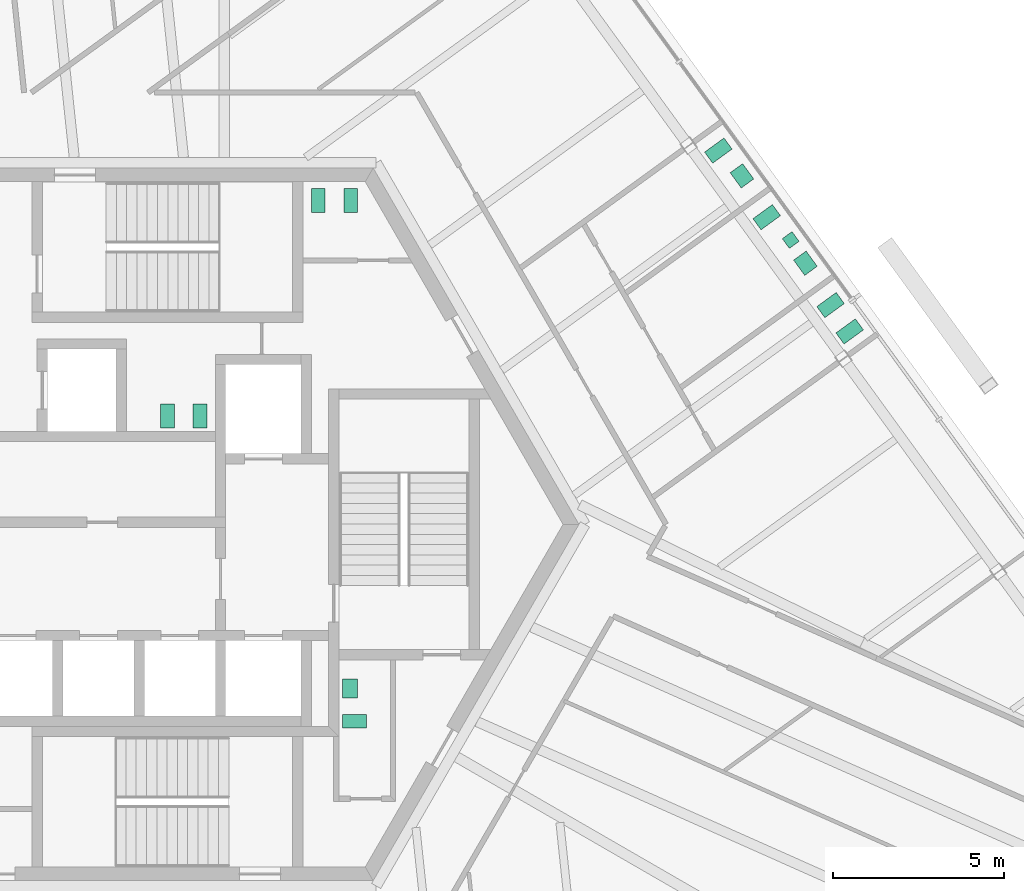
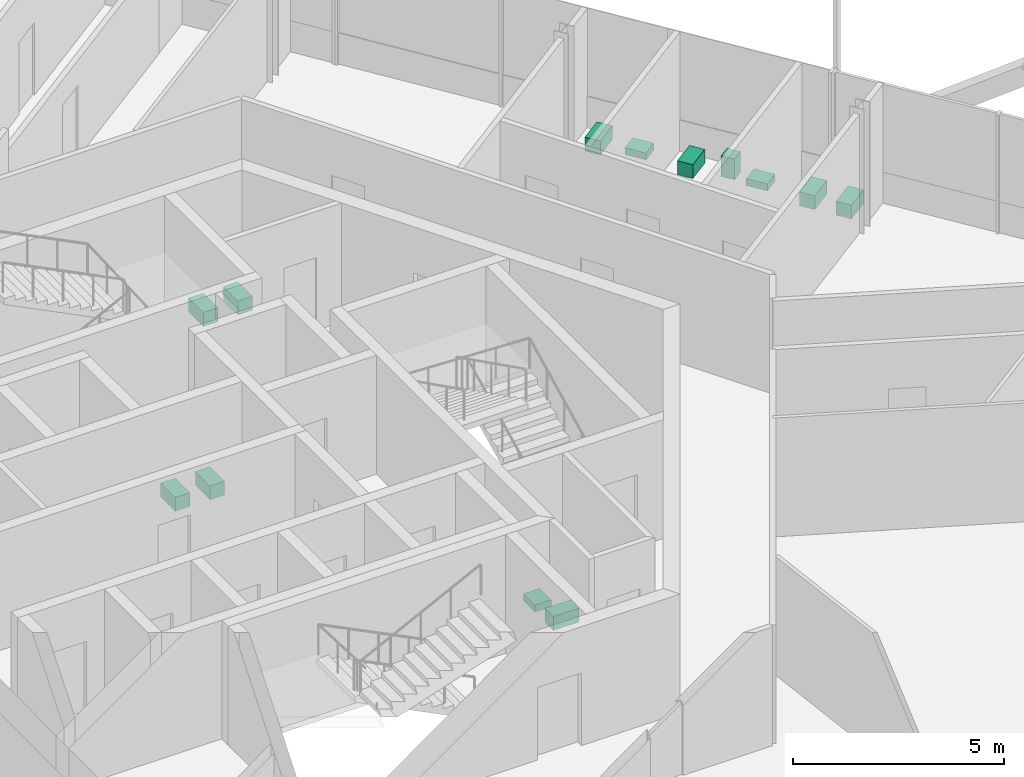
# One storey, part 19 of 21: 13 sanitary terminals.
"""IFC4 building model written with IfcOpenShell, lengths in metres."""

from ifc_helpers import new_model, si_unit, direction, frame, origin, origin_2d, place, context, subcontext, project, spatial, rectangle, extrude, source, transform, mapped, material, element, save


model = new_model("IFC4")

# Units and contexts
model_context = context("Model", 3, precision=1e-05, world=origin(), true_north=direction((0.0, 1.0)))
body_context = subcontext(model_context, "Body", "Model", "MODEL_VIEW")
ifc_project = project(units=[si_unit("LENGTHUNIT", "METRE"), si_unit("AREAUNIT", "SQUARE_METRE"), si_unit("VOLUMEUNIT", "CUBIC_METRE"), si_unit("PLANEANGLEUNIT", "RADIAN"), si_unit("MASSUNIT", "GRAM", prefix="KILO")], contexts=[model_context])

# Site, building, storey
site_placement = place(None, origin())
site = spatial("IfcSite", under=ifc_project, at=site_placement, CompositionType="ELEMENT")
building_placement = place(site_placement, origin())
building = spatial("IfcBuilding", under=site, at=building_placement, Name="Triune Harvest Tower", CompositionType="ELEMENT")
storey_placement = place(building_placement, frame((0.0, 0.0, 241.300048828125)))
storey = spatial("IfcBuildingStorey", under=building, at=storey_placement, Name="L63", CompositionType="ELEMENT", Elevation=241.300048828125)

# Sanitary terminals
ifc_material = material(Name="Vitreous china")
shared_shape_1 = source(origin(), body_context, "Body", "SweptSolid", [
    extrude(rectangle(XDim=0.39990234375, YDim=0.699951171875, at=origin_2d()), origin(), (0.0, 0.0, 1.0), 0.39990234375),
])
for number, where, z_axis, x_axis, name in (
    (1, (4.39990234375, 9.449951171875, 0.0), (0.0, 0.0, 1.0), (1.0, 0.0, 0.0), "Toilet pan L63.c01"),
    (2, (5.35009765625, 9.449951171875, 0.0), (0.0, 0.0, 1.0), (1.0, 0.0, 0.0), "Toilet pan L63.c02"),
    (3, (0.949951171875, 3.159912109375, 0.0), (0.0, 0.0, 1.0), (-1.0, 0.0, 0.0), "Toilet pan L63.c03"),
    (4, (0.0, 3.159912109375, 0.0), (0.0, 0.0, 1.0), (-1.0, 0.0, 0.0), "Toilet pan L63.c04"),
    (5, (5.449951171875, -5.739990234375, 0.0), (0.0, 0.0, 1.0), (0.0, 1.0, 0.0), "Toilet pan L63.c05"),
    (6, (19.337646484375, 6.39501953125, 0.0), (0.0, 0.0, 1.0), (0.587785252292, -0.809016994375, 0.0), "Toilet pan 01"),
    (7, (19.89599609375, 5.626708984375, 0.0), (0.0, 0.0, 1.0), (0.587785252292, -0.809016994375, 0.0), "Toilet pan 02"),
    (8, (17.475830078125, 8.957763671875, 0.0), (0.0, 0.0, 1.0), (0.587785252292, -0.809016994375, 0.0), "Toilet pan 03"),
    (9, (16.065185546875, 10.8994140625, 0.0), (0.0, 0.0, 1.0), (0.587771132193, -0.80902725304, 0.0), "Toilet pan 06"),
):
    element("IfcSanitaryTerminal", number, at=place(storey_placement, frame(where, z_axis=z_axis, x_axis=x_axis)), inside=storey, material=ifc_material, Name=name, PredefinedType="TOILETPAN", context=body_context, shape_type="MappedRepresentation", body=[
        mapped(shared_shape_1, transform((0.0, 0.0, 0.0), scale=1.0)),
    ])
shared_shape_2 = source(origin(), body_context, "Body", "SweptSolid", [
    extrude(rectangle(XDim=0.35009765625, YDim=0.35009765625, at=origin_2d()), origin(), (0.0, 0.0, 1.0), 0.60009765625),
])
sanitary_terminal_placement = place(storey_placement, frame((18.17578125, 8.2919921875, 0.0), z_axis=(0.0, 0.0, 1.0), x_axis=(0.587785252292, -0.809016994375, 0.0)))
element("IfcSanitaryTerminal", 10, at=sanitary_terminal_placement, inside=storey, material=ifc_material, Name="Urinal 04", PredefinedType="URINAL", context=body_context, shape_type="MappedRepresentation", body=[
    mapped(shared_shape_2, transform((0.0, 0.0, 0.0), scale=1.0)),
])
shared_shape_3 = source(origin(), body_context, "Body", "SweptSolid", [
    extrude(rectangle(XDim=0.550048828125, YDim=0.449951171875, at=origin_2d()), origin(), (0.0, 0.0, 1.0), 0.199951171875),
])
for number, where, z_axis, x_axis, name in (
    (11, (5.324951171875, -4.7900390625, 0.0), (0.0, 0.0, 1.0), (0.0, 1.0, 0.0), "Wash basin L63.c06"),
    (12, (18.60546875, 7.615478515625, 0.0), (0.0, 0.0, 1.0), (0.587785252292, -0.809016994375, 0.0), "Wash basin 05"),
    (13, (16.754150390625, 10.163818359375, 0.0), (0.0, 0.0, 1.0), (0.587771132193, -0.80902725304, 0.0), "Wash basin 07"),
):
    element("IfcSanitaryTerminal", number, at=place(storey_placement, frame(where, z_axis=z_axis, x_axis=x_axis)), inside=storey, material=ifc_material, Name=name, PredefinedType="WASHHANDBASIN", context=body_context, shape_type="MappedRepresentation", body=[
        mapped(shared_shape_3, transform((0.0, 0.0, 0.0), scale=1.0)),
    ])

save(model, "model.ifc")
